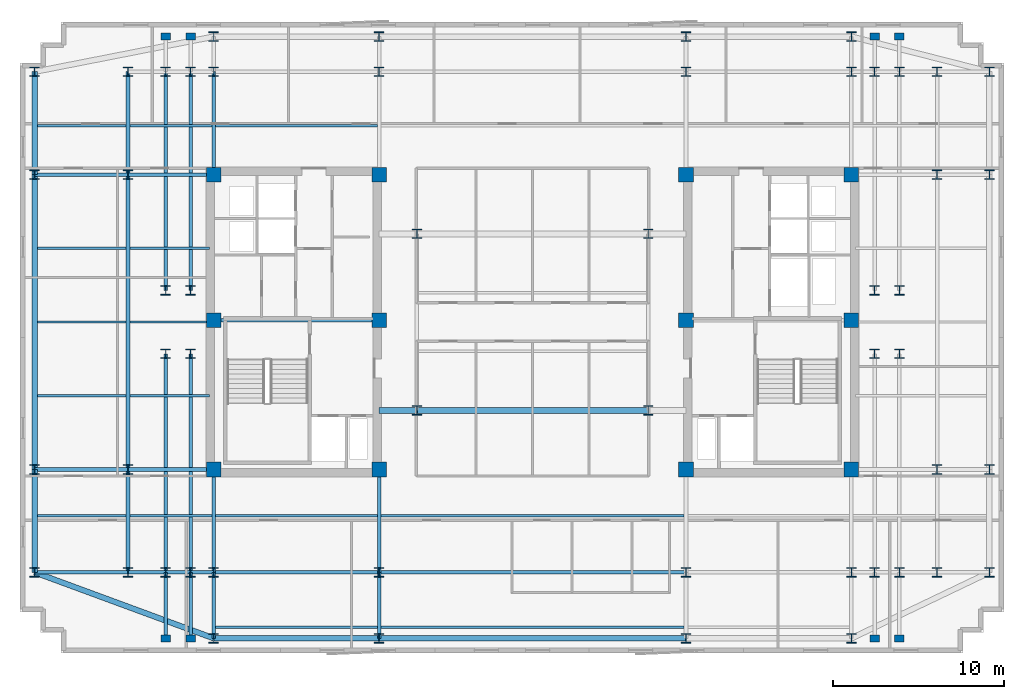
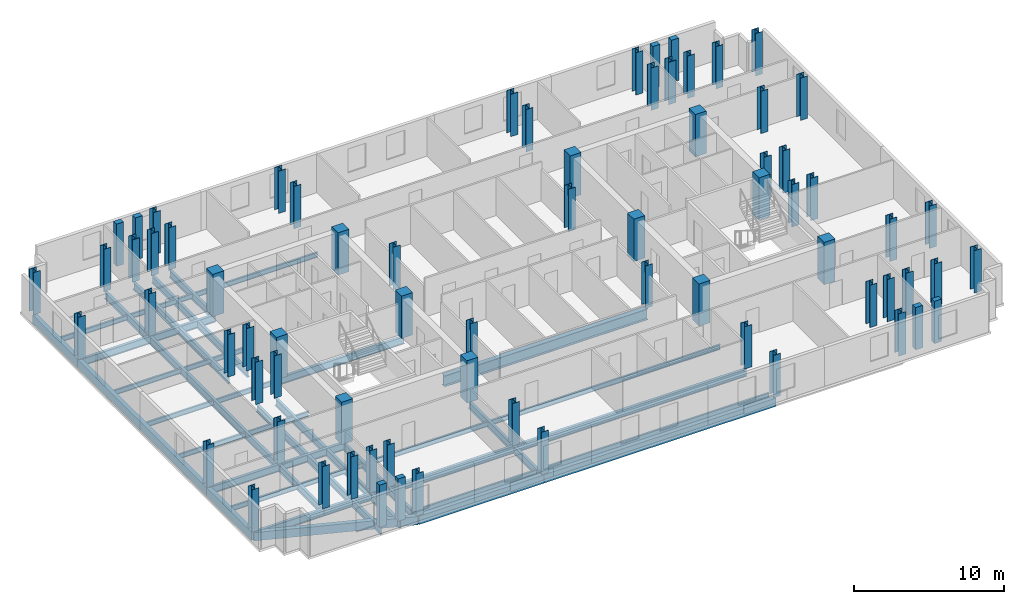
# One storey, part 1 of 10: 72 columns, 46 beams.
"""IFC4 building model written with IfcOpenShell, lengths in metres."""

import ifcopenshell
import ifcopenshell.guid

model = None  # the IFC model being written
_history = None  # IfcOwnerHistory: only IFC2X3 demands one
_inside = {}  # id of a spatial element -> (the spatial element, [elements in it])
_under = {}  # id of a project, library or spatial element -> (it, [spatial elements below it])
_declared = {}  # id of a project -> (the project, [libraries it declares])
_typed = {}  # id of a type object -> (the type object, [elements of that type])
_made_of = {}  # id of a material, layer set ... -> (it, [elements and type objects made of it])


def new_model(schema):
    """Start an empty IFC model of exactly this schema.

    Asked for "IFC4X3", IfcOpenShell would pick the latest addendum, in which some entities
    have other attributes; the version numbers below select the first issue.
    IFC2X3 requires an IfcOwnerHistory on every rooted entity: one is made here for all.
    """
    global model, _history
    if schema == "IFC4X3":
        model = ifcopenshell.file(schema_version=(4, 3, 0, 0))
    else:
        model = ifcopenshell.file(schema=schema)
    _inside.clear()
    _under.clear()
    _declared.clear()
    _typed.clear()
    _made_of.clear()
    _history = None
    if model.schema == "IFC2X3":
        org = make("IfcOrganization", Name="unknown")
        user = make(
            "IfcPersonAndOrganization",
            ThePerson=make("IfcPerson", FamilyName="unknown"),
            TheOrganization=org,
        )
        app = make(
            "IfcApplication",
            ApplicationDeveloper=org,
            Version="unknown",
            ApplicationFullName="unknown",
            ApplicationIdentifier="unknown",
        )
        _history = make(
            "IfcOwnerHistory",
            OwningUser=user,
            OwningApplication=app,
            ChangeAction="ADDED",
            CreationDate=0,
        )
    return model


def make(cls, **values):
    """One entity of the class cls with the attributes given. An attribute that is None is left unset."""
    return model.create_entity(
        cls, **{name: value for name, value in values.items() if value is not None}
    )


def rooted(cls, **values):
    """An entity with a GlobalId (a new one), such as an element, a storey or a relation."""
    return make(cls, GlobalId=ifcopenshell.guid.new(), OwnerHistory=_history, **values)


def si_unit(unit_type, name, prefix=None):
    """IfcSIUnit, for example si_unit("LENGTHUNIT", "METRE", prefix="MILLI")."""
    return make("IfcSIUnit", UnitType=unit_type, Prefix=prefix, Name=name)


def assignment(units):
    """IfcUnitAssignment: the units of a project."""
    return None if units is None else make("IfcUnitAssignment", Units=units)


def point(xyz):
    """IfcCartesianPoint."""
    return None if xyz is None else make("IfcCartesianPoint", Coordinates=xyz)


def direction(xyz):
    """IfcDirection."""
    return None if xyz is None else make("IfcDirection", DirectionRatios=xyz)


def frame(location, z_axis=None, x_axis=None):
    """IfcAxis2Placement3D, a coordinate frame: its origin and axes. An axis left out is left unset."""
    return make(
        "IfcAxis2Placement3D",
        Location=point(location),
        Axis=direction(z_axis),
        RefDirection=direction(x_axis),
    )


def frame_2d(location, x_axis=None):
    """IfcAxis2Placement2D, a coordinate frame in the plane: its origin and x axis."""
    return make(
        "IfcAxis2Placement2D", Location=point(location), RefDirection=direction(x_axis)
    )


def origin():
    """The frame at (0, 0, 0) with its axes left unset."""
    return frame((0.0, 0.0, 0.0))


def origin_2d():
    """The frame at (0, 0) in the plane with its x axis left unset."""
    return frame_2d((0.0, 0.0))


def place(relative_to, where):
    """IfcLocalPlacement: puts the frame where relative to a parent placement (None: the world)."""
    return make(
        "IfcLocalPlacement", PlacementRelTo=relative_to, RelativePlacement=where
    )


def context(
    kind, dimensions, precision=None, world=None, true_north=None, identifier=None
):
    """IfcGeometricRepresentationContext, for example the 3D "Model" context."""
    return make(
        "IfcGeometricRepresentationContext",
        ContextIdentifier=identifier,
        ContextType=kind,
        CoordinateSpaceDimension=dimensions,
        Precision=precision,
        WorldCoordinateSystem=world,
        TrueNorth=true_north,
    )


def subcontext(parent, identifier, kind, view, scale=None):
    """IfcGeometricRepresentationSubContext, for example "Body" below "Model"."""
    return make(
        "IfcGeometricRepresentationSubContext",
        ContextIdentifier=identifier,
        ContextType=kind,
        ParentContext=parent,
        TargetScale=scale,
        TargetView=view,
    )


def project(units=None, contexts=None):
    """IfcProject with its units and contexts."""
    return rooted(
        "IfcProject",
        Name="project",
        RepresentationContexts=contexts,
        UnitsInContext=assignment(units),
    )


def spatial(cls, under=None, at=None, **own):
    """A site, building, storey or space (cls), placed at a placement, below another one or the project."""
    s = rooted(cls, ObjectPlacement=at, **own)
    if under is not None:
        _under.setdefault(under.id(), (under, []))[1].append(s)
    return s


def profile(cls, at=None, kind="AREA", **sizes):
    """A parametric profile (cls). Its sizes go by their IFC names, for example OverallWidth=200.0."""
    return make(cls, ProfileType=kind, Position=at, **sizes)


def rectangle(**sizes):
    """IfcRectangleProfileDef."""
    return profile("IfcRectangleProfileDef", **sizes)


def i_section(**sizes):
    """IfcIShapeProfileDef."""
    return profile("IfcIShapeProfileDef", **sizes)


def extrude(swept, where, along, depth):
    """IfcExtrudedAreaSolid: the profile swept, set in the frame where, extruded along a direction by depth."""
    return make(
        "IfcExtrudedAreaSolid",
        SweptArea=swept,
        Position=where,
        ExtrudedDirection=direction(along),
        Depth=depth,
    )


def shape(context_of_items, identifier, shape_type, items):
    """IfcShapeRepresentation: the items that make up one representation, for example the "Body"."""
    return make(
        "IfcShapeRepresentation",
        ContextOfItems=context_of_items,
        RepresentationIdentifier=identifier,
        RepresentationType=shape_type,
        Items=items,
    )


def material(Name=None, Category=None):
    """IfcMaterial."""
    return make("IfcMaterial", Name=Name, Category=Category)


def material_profile(
    of_material, cross_section, Name=None, Category=None, Priority=None
):
    """IfcMaterialProfile: a cross section and its material."""
    return make(
        "IfcMaterialProfile",
        Name=Name,
        Material=of_material,
        Profile=cross_section,
        Priority=Priority,
        Category=Category,
    )


def profile_set(profiles, Name=None, composite=None):
    """IfcMaterialProfileSet."""
    return make(
        "IfcMaterialProfileSet",
        Name=Name,
        MaterialProfiles=profiles,
        CompositeProfile=composite,
    )


def made_of(thing, what):
    """Note that an element or type object is made of a material, layer set ...; save() writes the relation."""
    if what is not None:
        _made_of.setdefault(what.id(), (what, []))[1].append(thing)
    return thing


def type_object(cls, material=None, **own):
    """A type object (cls), such as IfcWallType, which elements share."""
    return made_of(rooted(cls, **own), material)


def element(
    cls,
    number,
    at=None,
    inside=None,
    cuts=None,
    type_object=None,
    material=None,
    context=None,
    identifier="Body",
    shape_type=None,
    held_by="IfcProductDefinitionShape",
    body=None,
    shapes=None,
    **own,
):
    """One element of the class cls, such as IfcWall. Its Tag is "e" and its number.

    at: its placement. inside: the storey or other place that contains it. cuts: it is an
    opening in that element (IfcRelVoidsElement). A single representation is given by context,
    identifier, shape_type and body (its items); several are given by shapes. held_by: the class
    of the entity that holds the representations. save() writes the other relations.
    """
    e = rooted(cls, Tag="e%d" % number, ObjectPlacement=at, **own)
    if body is not None:
        shapes = [shape(context, identifier, shape_type, body)]
    if shapes is not None:
        e.Representation = make(held_by, Representations=shapes)
    if inside is not None:
        _inside.setdefault(inside.id(), (inside, []))[1].append(e)
    if cuts is not None:
        rooted(
            "IfcRelVoidsElement", RelatingBuildingElement=cuts, RelatedOpeningElement=e
        )
    if type_object is not None:
        _typed.setdefault(type_object.id(), (type_object, []))[1].append(e)
    return made_of(e, material)


def aggregate(whole, parts):
    """IfcRelAggregates: a whole, such as a stair, and the parts it consists of."""
    return rooted("IfcRelAggregates", RelatingObject=whole, RelatedObjects=parts)


def save(model, path):
    """Write the relations noted so far, then the file.

    IfcRelAggregates (storeys below a building ...), IfcRelContainedInSpatialStructure (elements
    in a storey), IfcRelDefinesByType, IfcRelAssociatesMaterial and IfcRelDeclares: one each for
    every whole, place, type object, material and project.
    """
    for whole, parts in _under.values():
        aggregate(whole, parts)
    for where, things in _inside.values():
        rooted(
            "IfcRelContainedInSpatialStructure",
            RelatedElements=things,
            RelatingStructure=where,
        )
    for kind, things in _typed.values():
        rooted("IfcRelDefinesByType", RelatedObjects=things, RelatingType=kind)
    for what, things in _made_of.values():
        rooted("IfcRelAssociatesMaterial", RelatedObjects=things, RelatingMaterial=what)
    for by, libraries in _declared.values():
        rooted("IfcRelDeclares", RelatingContext=by, RelatedDefinitions=libraries)
    model.write(path)


model = new_model("IFC4")

# Units and contexts
model_context = context("Model", 3, precision=1e-05, world=origin(), true_north=direction((0.0, 1.0)))
body_context = subcontext(model_context, "Body", "Model", "MODEL_VIEW")
ifc_project = project(units=[si_unit("LENGTHUNIT", "METRE"), si_unit("AREAUNIT", "SQUARE_METRE"), si_unit("VOLUMEUNIT", "CUBIC_METRE"), si_unit("PLANEANGLEUNIT", "RADIAN"), si_unit("MASSUNIT", "GRAM", prefix="KILO")], contexts=[model_context])

# Site, building, storey
site_placement = place(None, origin())
site = spatial("IfcSite", under=ifc_project, at=site_placement, CompositionType="ELEMENT")
building_placement = place(site_placement, origin())
building = spatial("IfcBuilding", under=site, at=building_placement, Name="Velakula Bourse", CompositionType="ELEMENT")
storey_placement = place(building_placement, frame((0.0, 0.0, 239.550048828125)))
storey = spatial("IfcBuildingStorey", under=building, at=storey_placement, Name="L65", CompositionType="ELEMENT", Elevation=239.550048828125)

# Columns
ifc_material_1 = material(Name="Concrete M50 (fck 50 MPa)", Category="concrete")
ifc_material_profile_1 = material_profile(ifc_material_1, rectangle(XDim=0.85009765625, YDim=0.85009765625, at=origin_2d()), Name="Concrete M50 (fck 50 MPa)")
ifc_profile_set_1 = profile_set([ifc_material_profile_1], Name="Concrete M50 (fck 50 MPa)")
column_type_1 = type_object("IfcColumnType", Name="COL-RC-850", PredefinedType="COLUMN", material=ifc_profile_set_1)
for number, where, z_axis, x_axis, name in (
    (1, (-8.949951171875, -8.60009765625, 0.0), (0.0, 0.0, 1.0), (1.0, 0.0, 0.0), "L65 Core Boundary Column 01"),
    (2, (-8.949951171875, 0.10009765625, 0.0), (0.0, 0.0, 1.0), (1.0, 0.0, 0.0), "L65 Core Boundary Column 02"),
    (3, (-8.949951171875, 8.60009765625, 0.0), (0.0, 0.0, 1.0), (1.0, 0.0, 0.0), "L65 Core Boundary Column 03"),
    (4, (-18.60009765625, -8.60009765625, 0.0), (0.0, 0.0, 1.0), (1.0, 0.0, 0.0), "L65 Core Boundary Column 04"),
    (5, (-18.60009765625, 0.10009765625, 0.0), (0.0, 0.0, 1.0), (1.0, 0.0, 0.0), "L65 Core Boundary Column 05"),
    (6, (-18.60009765625, 8.60009765625, 0.0), (0.0, 0.0, 1.0), (1.0, 0.0, 0.0), "L65 Core Boundary Column 06"),
    (7, (8.949951171875, -8.60009765625, 0.0), (0.0, 0.0, 1.0), (1.0, 0.0, 0.0), "L65 Core Boundary Column 07"),
    (8, (8.949951171875, 0.10009765625, 0.0), (0.0, 0.0, 1.0), (1.0, 0.0, 0.0), "L65 Core Boundary Column 08"),
    (9, (8.949951171875, 8.60009765625, 0.0), (0.0, 0.0, 1.0), (1.0, 0.0, 0.0), "L65 Core Boundary Column 09"),
    (10, (18.60009765625, -8.60009765625, 0.0), (0.0, 0.0, 1.0), (1.0, 0.0, 0.0), "L65 Core Boundary Column 10"),
    (11, (18.60009765625, 0.10009765625, 0.0), (0.0, 0.0, 1.0), (1.0, 0.0, 0.0), "L65 Core Boundary Column 11"),
    (12, (18.60009765625, 8.60009765625, 0.0), (0.0, 0.0, 1.0), (1.0, 0.0, 0.0), "L65 Core Boundary Column 12"),
):
    element("IfcColumn", number, at=place(storey_placement, frame(where, z_axis=z_axis, x_axis=x_axis)), inside=storey, type_object=column_type_1, Name=name, PredefinedType="COLUMN", context=body_context, shape_type="SweptSolid", body=[
        extrude(rectangle(XDim=0.85009765625, YDim=0.85009765625, at=origin_2d()), origin(), (0.0, 0.0, 1.0), 3.449951171875),
    ])
ifc_material_2 = material(Name="Steel IS 2062 Grade 350 (E350)", Category="steel")
ifc_material_profile_2 = material_profile(ifc_material_2, i_section(OverallWidth=0.550048828125, OverallDepth=0.550048828125, WebThickness=0.02392578125, FlangeThickness=0.035888671875, at=origin_2d()), Name="Steel IS 2062 Grade 350 (E350)")
ifc_profile_set_2 = profile_set([ifc_material_profile_2], Name="Steel IS 2062 Grade 350 (E350)")
column_type_2 = type_object("IfcColumnType", Name="COL-STL-550", PredefinedType="COLUMN", material=ifc_profile_set_2)
for number, where, z_axis, x_axis, name in (
    (13, (-6.75, -5.14990234375, 0.0), (0.0, 0.0, 1.0), (1.0, 0.0, 0.0), "L65 Central Spine Column 01"),
    (14, (-6.75, 5.14990234375, 0.0), (0.0, 0.0, 1.0), (1.0, 0.0, 0.0), "L65 Central Spine Column 02"),
    (15, (6.75, -5.14990234375, 0.0), (0.0, 0.0, 1.0), (1.0, 0.0, 0.0), "L65 Central Spine Column 03"),
    (16, (6.75, 5.14990234375, 0.0), (0.0, 0.0, 1.0), (1.0, 0.0, 0.0), "L65 Central Spine Column 04"),
    (17, (-21.39990234375, -14.60009765625, 0.0), (0.0, 0.0, 1.0), (1.0, 0.0, 0.0), "L65 Tower Fulcrum Column 01"),
    (18, (-21.39990234375, 14.60009765625, 0.0), (0.0, 0.0, 1.0), (1.0, 0.0, 0.0), "L65 Tower Fulcrum Column 02"),
    (19, (-19.949951171875, -14.60009765625, 0.0), (0.0, 0.0, 1.0), (1.0, 0.0, 0.0), "L65 Tower Fulcrum Column 03"),
    (20, (-19.949951171875, 14.60009765625, 0.0), (0.0, 0.0, 1.0), (1.0, 0.0, 0.0), "L65 Tower Fulcrum Column 04"),
    (21, (-18.60009765625, -14.60009765625, 0.0), (0.0, 0.0, 1.0), (1.0, 0.0, 0.0), "L65 Tower Fulcrum Column 05"),
    (22, (-18.60009765625, 14.60009765625, 0.0), (0.0, 0.0, 1.0), (1.0, 0.0, 0.0), "L65 Tower Fulcrum Column 06"),
    (23, (-8.949951171875, -14.60009765625, 0.0), (0.0, 0.0, 1.0), (1.0, 0.0, 0.0), "L65 Tower Fulcrum Column 07"),
    (24, (-8.949951171875, 14.60009765625, 0.0), (0.0, 0.0, 1.0), (1.0, 0.0, 0.0), "L65 Tower Fulcrum Column 08"),
    (25, (8.949951171875, -14.60009765625, 0.0), (0.0, 0.0, 1.0), (1.0, 0.0, 0.0), "L65 Tower Fulcrum Column 09"),
    (26, (8.949951171875, 14.60009765625, 0.0), (0.0, 0.0, 1.0), (1.0, 0.0, 0.0), "L65 Tower Fulcrum Column 10"),
    (27, (18.60009765625, -14.60009765625, 0.0), (0.0, 0.0, 1.0), (1.0, 0.0, 0.0), "L65 Tower Fulcrum Column 11"),
    (28, (18.60009765625, 14.60009765625, 0.0), (0.0, 0.0, 1.0), (1.0, 0.0, 0.0), "L65 Tower Fulcrum Column 12"),
    (29, (19.949951171875, -14.60009765625, 0.0), (0.0, 0.0, 1.0), (1.0, 0.0, 0.0), "L65 Tower Fulcrum Column 13"),
    (30, (19.949951171875, 14.60009765625, 0.0), (0.0, 0.0, 1.0), (1.0, 0.0, 0.0), "L65 Tower Fulcrum Column 14"),
    (31, (21.39990234375, -14.60009765625, 0.0), (0.0, 0.0, 1.0), (1.0, 0.0, 0.0), "L65 Tower Fulcrum Column 15"),
    (32, (21.39990234375, 14.60009765625, 0.0), (0.0, 0.0, 1.0), (1.0, 0.0, 0.0), "L65 Tower Fulcrum Column 16"),
    (33, (-21.39990234375, -1.85009765625, 0.0), (0.0, 0.0, 1.0), (1.0, 0.0, 0.0), "L65 Tower Fulcrum Column 17"),
    (34, (-21.39990234375, 1.85009765625, 0.0), (0.0, 0.0, 1.0), (1.0, 0.0, 0.0), "L65 Tower Fulcrum Column 18"),
    (35, (-19.949951171875, -1.85009765625, 0.0), (0.0, 0.0, 1.0), (1.0, 0.0, 0.0), "L65 Tower Fulcrum Column 19"),
    (36, (-19.949951171875, 1.85009765625, 0.0), (0.0, 0.0, 1.0), (1.0, 0.0, 0.0), "L65 Tower Fulcrum Column 20"),
    (37, (19.949951171875, -1.85009765625, 0.0), (0.0, 0.0, 1.0), (1.0, 0.0, 0.0), "L65 Tower Fulcrum Column 21"),
    (38, (19.949951171875, 1.85009765625, 0.0), (0.0, 0.0, 1.0), (1.0, 0.0, 0.0), "L65 Tower Fulcrum Column 22"),
    (39, (21.39990234375, -1.85009765625, 0.0), (0.0, 0.0, 1.0), (1.0, 0.0, 0.0), "L65 Tower Fulcrum Column 23"),
    (40, (21.39990234375, 1.85009765625, 0.0), (0.0, 0.0, 1.0), (1.0, 0.0, 0.0), "L65 Tower Fulcrum Column 24"),
    (41, (-23.60009765625, -14.60009765625, 0.0), (0.0, 0.0, 1.0), (1.0, 0.0, 0.0), "L65 Mid-Wing Plumb Column 01"),
    (42, (-23.60009765625, -8.60009765625, 0.0), (0.0, 0.0, 1.0), (1.0, 0.0, 0.0), "L65 Mid-Wing Plumb Column 02"),
    (43, (-23.60009765625, 8.60009765625, 0.0), (0.0, 0.0, 1.0), (1.0, 0.0, 0.0), "L65 Mid-Wing Plumb Column 03"),
    (44, (-23.60009765625, 14.60009765625, 0.0), (0.0, 0.0, 1.0), (1.0, 0.0, 0.0), "L65 Mid-Wing Plumb Column 04"),
    (45, (23.60009765625, -14.60009765625, 0.0), (0.0, 0.0, 1.0), (1.0, 0.0, 0.0), "L65 Mid-Wing Plumb Column 05"),
    (46, (23.60009765625, -8.60009765625, 0.0), (0.0, 0.0, 1.0), (1.0, 0.0, 0.0), "L65 Mid-Wing Plumb Column 06"),
    (47, (23.60009765625, 8.60009765625, 0.0), (0.0, 0.0, 1.0), (1.0, 0.0, 0.0), "L65 Mid-Wing Plumb Column 07"),
    (48, (23.60009765625, 14.60009765625, 0.0), (0.0, 0.0, 1.0), (1.0, 0.0, 0.0), "L65 Mid-Wing Plumb Column 08"),
    (49, (-18.60009765625, -18.449951171875, 0.0), (0.0, 0.0, 1.0), (1.0, 0.0, 0.0), "L65 Block B5 Perimeter Column S1"),
    (50, (-8.949951171875, -18.449951171875, 0.0), (0.0, 0.0, 1.0), (1.0, 0.0, 0.0), "L65 Block B5 Perimeter Column S2"),
    (51, (8.949951171875, -18.449951171875, 0.0), (0.0, 0.0, 1.0), (1.0, 0.0, 0.0), "L65 Block B5 Perimeter Column S3"),
    (52, (18.60009765625, -18.449951171875, 0.0), (0.0, 0.0, 1.0), (1.0, 0.0, 0.0), "L65 Block B5 Perimeter Column S4"),
    (53, (-18.60009765625, 16.64990234375, 0.0), (0.0, 0.0, 1.0), (1.0, 0.0, 0.0), "L65 Block B5 Perimeter Column N1"),
    (54, (-8.949951171875, 16.64990234375, 0.0), (0.0, 0.0, 1.0), (1.0, 0.0, 0.0), "L65 Block B5 Perimeter Column N2"),
    (55, (8.949951171875, 16.64990234375, 0.0), (0.0, 0.0, 1.0), (1.0, 0.0, 0.0), "L65 Block B5 Perimeter Column N3"),
    (56, (18.60009765625, 16.64990234375, 0.0), (0.0, 0.0, 1.0), (1.0, 0.0, 0.0), "L65 Block B5 Perimeter Column N4"),
    (57, (-29.050048828125, -14.60009765625, 0.0), (0.0, 0.0, 1.0), (1.0, 0.0, 0.0), "L65 Block B5 Perimeter Column W1"),
    (58, (-29.050048828125, -8.60009765625, 0.0), (0.0, 0.0, 1.0), (1.0, 0.0, 0.0), "L65 Block B5 Perimeter Column W2"),
    (59, (-29.050048828125, 8.60009765625, 0.0), (0.0, 0.0, 1.0), (1.0, 0.0, 0.0), "L65 Block B5 Perimeter Column W3"),
    (60, (-29.050048828125, 14.60009765625, 0.0), (0.0, 0.0, 1.0), (1.0, 0.0, 0.0), "L65 Block B5 Perimeter Column W4"),
    (61, (26.64990234375, -14.60009765625, 0.0), (0.0, 0.0, 1.0), (1.0, 0.0, 0.0), "L65 Block B5 Perimeter Column E1"),
    (62, (26.64990234375, -8.60009765625, 0.0), (0.0, 0.0, 1.0), (1.0, 0.0, 0.0), "L65 Block B5 Perimeter Column E2"),
    (63, (26.64990234375, 8.60009765625, 0.0), (0.0, 0.0, 1.0), (1.0, 0.0, 0.0), "L65 Block B5 Perimeter Column E3"),
    (64, (26.64990234375, 14.60009765625, 0.0), (0.0, 0.0, 1.0), (1.0, 0.0, 0.0), "L65 Block B5 Perimeter Column E4"),
):
    element("IfcColumn", number, at=place(storey_placement, frame(where, z_axis=z_axis, x_axis=x_axis)), inside=storey, type_object=column_type_2, Name=name, PredefinedType="COLUMN", context=body_context, shape_type="SweptSolid", body=[
        extrude(i_section(OverallWidth=0.550048828125, OverallDepth=0.550048828125, WebThickness=0.02392578125, FlangeThickness=0.035888671875, at=origin_2d()), origin(), (0.0, 0.0, 1.0), 3.449951171875),
    ])
ifc_material_3 = material(Name="Precast concrete M45 (fck 45 MPa)", Category="concrete")
ifc_material_profile_3 = material_profile(ifc_material_3, rectangle(XDim=0.550048828125, YDim=0.39990234375, at=origin_2d()), Name="Precast concrete M45 (fck 45 MPa)")
ifc_profile_set_3 = profile_set([ifc_material_profile_3], Name="Precast concrete M45 (fck 45 MPa)")
column_type_3 = type_object("IfcColumnType", Name="PIL-BRICK-550", PredefinedType="PILASTER", material=ifc_profile_set_3)
for number, where, z_axis, x_axis, name in (
    (65, (-21.39990234375, -18.449951171875, 0.0), (0.0, 0.0, 1.0), (1.0, 0.0, 0.0), "L65 Brick Pier Pilaster 01"),
    (66, (-19.949951171875, -18.449951171875, 0.0), (0.0, 0.0, 1.0), (1.0, 0.0, 0.0), "L65 Brick Pier Pilaster 02"),
    (67, (19.949951171875, -18.449951171875, 0.0), (0.0, 0.0, 1.0), (1.0, 0.0, 0.0), "L65 Brick Pier Pilaster 03"),
    (68, (21.39990234375, -18.449951171875, 0.0), (0.0, 0.0, 1.0), (1.0, 0.0, 0.0), "L65 Brick Pier Pilaster 04"),
    (69, (-21.39990234375, 16.64990234375, 0.0), (0.0, 0.0, 1.0), (1.0, 0.0, 0.0), "L65 Brick Pier Pilaster 05"),
    (70, (-19.949951171875, 16.64990234375, 0.0), (0.0, 0.0, 1.0), (1.0, 0.0, 0.0), "L65 Brick Pier Pilaster 06"),
    (71, (19.949951171875, 16.64990234375, 0.0), (0.0, 0.0, 1.0), (1.0, 0.0, 0.0), "L65 Brick Pier Pilaster 07"),
    (72, (21.39990234375, 16.64990234375, 0.0), (0.0, 0.0, 1.0), (1.0, 0.0, 0.0), "L65 Brick Pier Pilaster 08"),
):
    element("IfcColumn", number, at=place(storey_placement, frame(where, z_axis=z_axis, x_axis=x_axis)), inside=storey, type_object=column_type_3, Name=name, PredefinedType="PILASTER", context=body_context, shape_type="SweptSolid", body=[
        extrude(rectangle(XDim=0.550048828125, YDim=0.39990234375, at=origin_2d()), origin(), (0.0, 0.0, 1.0), 3.449951171875),
    ])

# Beams
ifc_material_profile_4 = material_profile(ifc_material_2, i_section(OverallWidth=0.2099609375, OverallDepth=0.60009765625, WebThickness=0.011962890625, FlangeThickness=0.020751953125, at=origin_2d()), Name="Steel IS 2062 Grade 350 (E350)")
ifc_profile_set_4 = profile_set([ifc_material_profile_4], Name="Steel IS 2062 Grade 350 (E350)")
beam_type_1 = type_object("IfcBeamType", Name="BM-GRD-600L", PredefinedType="BEAM", material=ifc_profile_set_4)
beam_1_placement = place(storey_placement, frame((-18.60009765625, 0.10009765625, -0.47998046875), z_axis=(1.0, 0.0, 0.0), x_axis=(0.0, 1.0, 0.0)))
element("IfcBeam", 73, at=beam_1_placement, inside=storey, type_object=beam_type_1, Name="L65 Primary Backbone Girder CRW-M", PredefinedType="BEAM", context=body_context, shape_type="SweptSolid", body=[
    extrude(i_section(OverallWidth=0.2099609375, OverallDepth=0.60009765625, WebThickness=0.011962890625, FlangeThickness=0.020751953125, at=origin_2d()), origin(), (0.0, 0.0, 1.0), 9.650146484375),
])
for number, where, z_axis, x_axis, name in (
    (74, (-18.60009765625, -14.60009765625, -0.47998046875), (0.0, 1.0, 0.0), (-1.0, 0.0, 0.0), "L65 Fulcrum Grid Girder FLC-WS"),
    (75, (-18.60009765625, 8.60009765625, -0.47998046875), (0.0, 1.0, 0.0), (-1.0, 0.0, 0.0), "L65 Fulcrum Grid Girder FLC-WN"),
    (76, (-8.949951171875, -14.60009765625, -0.47998046875), (0.0, 1.0, 0.0), (-1.0, 0.0, 0.0), "L65 Fulcrum Grid Girder FLC-WCS"),
):
    element("IfcBeam", number, at=place(storey_placement, frame(where, z_axis=z_axis, x_axis=x_axis)), inside=storey, type_object=beam_type_1, Name=name, PredefinedType="BEAM", context=body_context, shape_type="SweptSolid", body=[
        extrude(i_section(OverallWidth=0.2099609375, OverallDepth=0.60009765625, WebThickness=0.011962890625, FlangeThickness=0.020751953125, at=origin_2d()), origin(), (0.0, 0.0, 1.0), 6.0),
    ])
beam_2_placement = place(storey_placement, frame((-18.60009765625, -14.60009765625, -0.47998046875), z_axis=(1.0, 0.0, 0.0), x_axis=(0.0, 1.0, 0.0)))
element("IfcBeam", 77, at=beam_2_placement, inside=storey, type_object=beam_type_1, Name="L65 Fulcrum Grid Girder FLC-S1", PredefinedType="BEAM", context=body_context, shape_type="SweptSolid", body=[
    extrude(i_section(OverallWidth=0.2099609375, OverallDepth=0.60009765625, WebThickness=0.011962890625, FlangeThickness=0.020751953125, at=origin_2d()), origin(), (0.0, 0.0, 1.0), 9.650146484375),
])
beam_3_placement = place(storey_placement, frame((-8.949951171875, -14.60009765625, -0.47998046875), z_axis=(1.0, 0.0, 0.0), x_axis=(0.0, 1.0, 0.0)))
element("IfcBeam", 78, at=beam_3_placement, inside=storey, type_object=beam_type_1, Name="L65 Fulcrum Grid Girder FLC-S2", PredefinedType="BEAM", context=body_context, shape_type="SweptSolid", body=[
    extrude(i_section(OverallWidth=0.2099609375, OverallDepth=0.60009765625, WebThickness=0.011962890625, FlangeThickness=0.020751953125, at=origin_2d()), origin(), (0.0, 0.0, 1.0), 17.89990234375),
])
for number, where, z_axis, x_axis, name in (
    (79, (-21.39990234375, -14.60009765625, -0.47998046875), (0.0, 1.0, 0.0), (-1.0, 0.0, 0.0), "L65 Fulcrum Grid Girder FLC-PSW1"),
    (80, (-21.39990234375, 1.85009765625, -0.47998046875), (0.0, 1.0, 0.0), (-1.0, 0.0, 0.0), "L65 Fulcrum Grid Girder FLC-PNW1"),
    (81, (-19.949951171875, -14.60009765625, -0.47998046875), (0.0, 1.0, 0.0), (-1.0, 0.0, 0.0), "L65 Fulcrum Grid Girder FLC-PSW2"),
    (82, (-19.949951171875, 1.85009765625, -0.47998046875), (0.0, 1.0, 0.0), (-1.0, 0.0, 0.0), "L65 Fulcrum Grid Girder FLC-PNW2"),
):
    element("IfcBeam", number, at=place(storey_placement, frame(where, z_axis=z_axis, x_axis=x_axis)), inside=storey, type_object=beam_type_1, Name=name, PredefinedType="BEAM", context=body_context, shape_type="SweptSolid", body=[
        extrude(i_section(OverallWidth=0.2099609375, OverallDepth=0.60009765625, WebThickness=0.011962890625, FlangeThickness=0.020751953125, at=origin_2d()), origin(), (0.0, 0.0, 1.0), 12.75),
    ])
for number, where, z_axis, x_axis, name in (
    (83, (-23.60009765625, -14.60009765625, -0.47998046875), (1.0, 0.0, 0.0), (0.0, 1.0, 0.0), "L65 Fulcrum Grid Girder MWG-WS1"),
    (84, (-23.60009765625, -8.60009765625, -0.47998046875), (1.0, 0.0, 0.0), (0.0, 1.0, 0.0), "L65 Fulcrum Grid Girder MWG-WS2"),
    (85, (-23.60009765625, 8.60009765625, -0.47998046875), (1.0, 0.0, 0.0), (0.0, 1.0, 0.0), "L65 Fulcrum Grid Girder MWG-WN1"),
):
    element("IfcBeam", number, at=place(storey_placement, frame(where, z_axis=z_axis, x_axis=x_axis)), inside=storey, type_object=beam_type_1, Name=name, PredefinedType="BEAM", context=body_context, shape_type="SweptSolid", body=[
        extrude(i_section(OverallWidth=0.2099609375, OverallDepth=0.60009765625, WebThickness=0.011962890625, FlangeThickness=0.020751953125, at=origin_2d()), origin(), (0.0, 0.0, 1.0), 5.0),
    ])
beam_4_placement = place(storey_placement, frame((-23.60009765625, -14.60009765625, -0.47998046875), z_axis=(0.0, 1.0, 0.0), x_axis=(-1.0, 0.0, 0.0)))
element("IfcBeam", 86, at=beam_4_placement, inside=storey, type_object=beam_type_1, Name="L65 Fulcrum Grid Girder MWG-WNS1", PredefinedType="BEAM", context=body_context, shape_type="SweptSolid", body=[
    extrude(i_section(OverallWidth=0.2099609375, OverallDepth=0.60009765625, WebThickness=0.011962890625, FlangeThickness=0.020751953125, at=origin_2d()), origin(), (0.0, 0.0, 1.0), 6.0),
])
beam_5_placement = place(storey_placement, frame((-23.60009765625, -8.60009765625, -0.47998046875), z_axis=(0.0, 1.0, 0.0), x_axis=(-1.0, 0.0, 0.0)))
element("IfcBeam", 87, at=beam_5_placement, inside=storey, type_object=beam_type_1, Name="L65 Fulcrum Grid Girder MWG-WNS2", PredefinedType="BEAM", context=body_context, shape_type="SweptSolid", body=[
    extrude(i_section(OverallWidth=0.2099609375, OverallDepth=0.60009765625, WebThickness=0.011962890625, FlangeThickness=0.020751953125, at=origin_2d()), origin(), (0.0, 0.0, 1.0), 17.2001953125),
])
beam_6_placement = place(storey_placement, frame((-23.60009765625, 8.60009765625, -0.47998046875), z_axis=(0.0, 1.0, 0.0), x_axis=(-1.0, 0.0, 0.0)))
element("IfcBeam", 88, at=beam_6_placement, inside=storey, type_object=beam_type_1, Name="L65 Fulcrum Grid Girder MWG-WNS3", PredefinedType="BEAM", context=body_context, shape_type="SweptSolid", body=[
    extrude(i_section(OverallWidth=0.2099609375, OverallDepth=0.60009765625, WebThickness=0.011962890625, FlangeThickness=0.020751953125, at=origin_2d()), origin(), (0.0, 0.0, 1.0), 6.0),
])
for number, where, z_axis, x_axis, name in (
    (89, (-18.60009765625, -14.60009765625, -0.47998046875), (0.0, -1.0, 0.0), (1.0, 0.0, 0.0), "L65 Perimeter Tie Girder S1"),
    (90, (-8.949951171875, -14.60009765625, -0.47998046875), (0.0, -1.0, 0.0), (1.0, 0.0, 0.0), "L65 Perimeter Tie Girder S2"),
):
    element("IfcBeam", number, at=place(storey_placement, frame(where, z_axis=z_axis, x_axis=x_axis)), inside=storey, type_object=beam_type_1, Name=name, PredefinedType="BEAM", context=body_context, shape_type="SweptSolid", body=[
        extrude(i_section(OverallWidth=0.2099609375, OverallDepth=0.60009765625, WebThickness=0.011962890625, FlangeThickness=0.020751953125, at=origin_2d()), origin(), (0.0, 0.0, 1.0), 3.849853515625),
    ])
for number, where, z_axis, x_axis, name in (
    (91, (-23.60009765625, -14.60009765625, -0.47998046875), (-1.0, 0.0, 0.0), (0.0, -1.0, 0.0), "L65 Perimeter Tie Girder W1"),
    (92, (-23.60009765625, -8.60009765625, -0.47998046875), (-1.0, 0.0, 0.0), (0.0, -1.0, 0.0), "L65 Perimeter Tie Girder W2"),
    (93, (-23.60009765625, 8.60009765625, -0.47998046875), (-1.0, 0.0, 0.0), (0.0, -1.0, 0.0), "L65 Perimeter Tie Girder W3"),
):
    element("IfcBeam", number, at=place(storey_placement, frame(where, z_axis=z_axis, x_axis=x_axis)), inside=storey, type_object=beam_type_1, Name=name, PredefinedType="BEAM", context=body_context, shape_type="SweptSolid", body=[
        extrude(i_section(OverallWidth=0.2099609375, OverallDepth=0.60009765625, WebThickness=0.011962890625, FlangeThickness=0.020751953125, at=origin_2d()), origin(), (0.0, 0.0, 1.0), 5.449951171875),
    ])
for number, where, z_axis, x_axis, name in (
    (94, (-21.39990234375, -14.60009765625, -0.47998046875), (0.0, -1.0, 0.0), (1.0, 0.0, 0.0), "L65 Perimeter Tie Girder P01"),
    (95, (-19.949951171875, -14.60009765625, -0.47998046875), (0.0, -1.0, 0.0), (1.0, 0.0, 0.0), "L65 Perimeter Tie Girder P02"),
):
    element("IfcBeam", number, at=place(storey_placement, frame(where, z_axis=z_axis, x_axis=x_axis)), inside=storey, type_object=beam_type_1, Name=name, PredefinedType="BEAM", context=body_context, shape_type="SweptSolid", body=[
        extrude(i_section(OverallWidth=0.2099609375, OverallDepth=0.60009765625, WebThickness=0.011962890625, FlangeThickness=0.020751953125, at=origin_2d()), origin(), (0.0, 0.0, 1.0), 3.849853515625),
    ])
ifc_material_profile_5 = material_profile(ifc_material_2, i_section(OverallWidth=0.35009765625, OverallDepth=0.89990234375, WebThickness=0.02001953125, FlangeThickness=0.031982421875, at=origin_2d()), Name="Steel IS 2062 Grade 350 (E350)")
ifc_profile_set_5 = profile_set([ifc_material_profile_5], Name="Steel IS 2062 Grade 350 (E350)")
beam_type_2 = type_object("IfcBeamType", Name="BM-LNK-900", PredefinedType="BEAM", material=ifc_profile_set_5)
beam_7_placement = place(storey_placement, frame((-8.949951171875, -5.14990234375, -0.630126953125), z_axis=(1.0, 0.0, 0.0), x_axis=(0.0, 1.0, 0.0)))
element("IfcBeam", 96, at=beam_7_placement, inside=storey, type_object=beam_type_2, Name="L65 Primary Backbone Girder LNK-S1", PredefinedType="BEAM", context=body_context, shape_type="SweptSolid", body=[
    extrude(i_section(OverallWidth=0.35009765625, OverallDepth=0.89990234375, WebThickness=0.02001953125, FlangeThickness=0.031982421875, at=origin_2d()), origin(), (0.0, 0.0, 1.0), 2.199951171875),
])
beam_8_placement = place(storey_placement, frame((-6.75, -5.14990234375, -0.630126953125), z_axis=(1.0, 0.0, 0.0), x_axis=(0.0, 1.0, 0.0)))
element("IfcBeam", 97, at=beam_8_placement, inside=storey, type_object=beam_type_2, Name="L65 Primary Backbone Girder LNK-S2", PredefinedType="BEAM", context=body_context, shape_type="SweptSolid", body=[
    extrude(i_section(OverallWidth=0.35009765625, OverallDepth=0.89990234375, WebThickness=0.02001953125, FlangeThickness=0.031982421875, at=origin_2d()), origin(), (0.0, 0.0, 1.0), 13.5),
])
ifc_material_profile_6 = material_profile(ifc_material_2, i_section(OverallWidth=0.139892578125, OverallDepth=0.39990234375, WebThickness=0.0087890625, FlangeThickness=0.01611328125, at=origin_2d()), Name="Steel IS 2062 Grade 350 (E350)")
ifc_profile_set_6 = profile_set([ifc_material_profile_6], Name="Steel IS 2062 Grade 350 (E350)")
beam_type_3 = type_object("IfcBeamType", Name="JST-TWR-400", PredefinedType="JOIST", material=ifc_profile_set_6)
beam_9_placement = place(storey_placement, frame((-18.4951171875, -17.800048828125, -0.380126953125), z_axis=(1.0, 0.0, 0.0), x_axis=(0.0, 1.0, 0.0)))
element("IfcBeam", 98, at=beam_9_placement, inside=storey, type_object=beam_type_3, Name="L65 Trading Floor Composite Joist 01", PredefinedType="JOIST", context=body_context, shape_type="SweptSolid", body=[
    extrude(i_section(OverallWidth=0.139892578125, OverallDepth=0.39990234375, WebThickness=0.0087890625, FlangeThickness=0.01611328125, at=origin_2d()), origin(), (0.0, 0.0, 1.0), 9.440185546875),
])
beam_10_placement = place(storey_placement, frame((-8.844970703125, -17.800048828125, -0.380126953125), z_axis=(1.0, 0.0, 0.0), x_axis=(0.0, 1.0, 0.0)))
element("IfcBeam", 99, at=beam_10_placement, inside=storey, type_object=beam_type_3, Name="L65 Trading Floor Composite Joist 02", PredefinedType="JOIST", context=body_context, shape_type="SweptSolid", body=[
    extrude(i_section(OverallWidth=0.139892578125, OverallDepth=0.39990234375, WebThickness=0.0087890625, FlangeThickness=0.01611328125, at=origin_2d()), origin(), (0.0, 0.0, 1.0), 17.68994140625),
])
beam_11_placement = place(storey_placement, frame((-28.889892578125, -11.300048828125, -0.380126953125), z_axis=(1.0, 0.0, 0.0), x_axis=(0.0, 1.0, 0.0)))
element("IfcBeam", 100, at=beam_11_placement, inside=storey, type_object=beam_type_3, Name="L65 Trading Floor Composite Joist 04", PredefinedType="JOIST", context=body_context, shape_type="SweptSolid", body=[
    extrude(i_section(OverallWidth=0.139892578125, OverallDepth=0.39990234375, WebThickness=0.0087890625, FlangeThickness=0.01611328125, at=origin_2d()), origin(), (0.0, 0.0, 1.0), 5.184814453125),
])
beam_12_placement = place(storey_placement, frame((-23.4951171875, -11.300048828125, -0.380126953125), z_axis=(1.0, 0.0, 0.0), x_axis=(0.0, 1.0, 0.0)))
element("IfcBeam", 101, at=beam_12_placement, inside=storey, type_object=beam_type_3, Name="L65 Trading Floor Composite Joist 05", PredefinedType="JOIST", context=body_context, shape_type="SweptSolid", body=[
    extrude(i_section(OverallWidth=0.139892578125, OverallDepth=0.39990234375, WebThickness=0.0087890625, FlangeThickness=0.01611328125, at=origin_2d()), origin(), (0.0, 0.0, 1.0), 4.7900390625),
])
beam_13_placement = place(storey_placement, frame((-18.4951171875, -11.300048828125, -0.380126953125), z_axis=(1.0, 0.0, 0.0), x_axis=(0.0, 1.0, 0.0)))
element("IfcBeam", 102, at=beam_13_placement, inside=storey, type_object=beam_type_3, Name="L65 Trading Floor Composite Joist 06", PredefinedType="JOIST", context=body_context, shape_type="SweptSolid", body=[
    extrude(i_section(OverallWidth=0.139892578125, OverallDepth=0.39990234375, WebThickness=0.0087890625, FlangeThickness=0.01611328125, at=origin_2d()), origin(), (0.0, 0.0, 1.0), 9.440185546875),
])
beam_14_placement = place(storey_placement, frame((-8.844970703125, -11.300048828125, -0.380126953125), z_axis=(1.0, 0.0, 0.0), x_axis=(0.0, 1.0, 0.0)))
element("IfcBeam", 103, at=beam_14_placement, inside=storey, type_object=beam_type_3, Name="L65 Trading Floor Composite Joist 07", PredefinedType="JOIST", context=body_context, shape_type="SweptSolid", body=[
    extrude(i_section(OverallWidth=0.139892578125, OverallDepth=0.39990234375, WebThickness=0.0087890625, FlangeThickness=0.01611328125, at=origin_2d()), origin(), (0.0, 0.0, 1.0), 17.68994140625),
])
beam_15_placement = place(storey_placement, frame((-28.889892578125, 11.449951171875, -0.380126953125), z_axis=(1.0, 0.0, 0.0), x_axis=(0.0, 1.0, 0.0)))
element("IfcBeam", 104, at=beam_15_placement, inside=storey, type_object=beam_type_3, Name="L65 Trading Floor Composite Joist 11", PredefinedType="JOIST", context=body_context, shape_type="SweptSolid", body=[
    extrude(i_section(OverallWidth=0.139892578125, OverallDepth=0.39990234375, WebThickness=0.0087890625, FlangeThickness=0.01611328125, at=origin_2d()), origin(), (0.0, 0.0, 1.0), 5.184814453125),
])
beam_16_placement = place(storey_placement, frame((-23.4951171875, 11.449951171875, -0.380126953125), z_axis=(1.0, 0.0, 0.0), x_axis=(0.0, 1.0, 0.0)))
element("IfcBeam", 105, at=beam_16_placement, inside=storey, type_object=beam_type_3, Name="L65 Trading Floor Composite Joist 12", PredefinedType="JOIST", context=body_context, shape_type="SweptSolid", body=[
    extrude(i_section(OverallWidth=0.139892578125, OverallDepth=0.39990234375, WebThickness=0.0087890625, FlangeThickness=0.01611328125, at=origin_2d()), origin(), (0.0, 0.0, 1.0), 4.7900390625),
])
beam_17_placement = place(storey_placement, frame((-18.4951171875, 11.449951171875, -0.380126953125), z_axis=(1.0, 0.0, 0.0), x_axis=(0.0, 1.0, 0.0)))
element("IfcBeam", 106, at=beam_17_placement, inside=storey, type_object=beam_type_3, Name="L65 Trading Floor Composite Joist 13", PredefinedType="JOIST", context=body_context, shape_type="SweptSolid", body=[
    extrude(i_section(OverallWidth=0.139892578125, OverallDepth=0.39990234375, WebThickness=0.0087890625, FlangeThickness=0.01611328125, at=origin_2d()), origin(), (0.0, 0.0, 1.0), 9.440185546875),
])
beam_18_placement = place(storey_placement, frame((-28.889892578125, -4.300048828125, -0.380126953125), z_axis=(1.0, 0.0, 0.0), x_axis=(0.0, 1.0, 0.0)))
element("IfcBeam", 107, at=beam_18_placement, inside=storey, type_object=beam_type_3, Name="L65 Trading Floor Composite Joist 20", PredefinedType="JOIST", context=body_context, shape_type="SweptSolid", body=[
    extrude(i_section(OverallWidth=0.139892578125, OverallDepth=0.39990234375, WebThickness=0.0087890625, FlangeThickness=0.01611328125, at=origin_2d()), origin(), (0.0, 0.0, 1.0), 5.184814453125),
])
beam_19_placement = place(storey_placement, frame((-23.4951171875, -4.300048828125, -0.380126953125), z_axis=(1.0, 0.0, 0.0), x_axis=(0.0, 1.0, 0.0)))
element("IfcBeam", 108, at=beam_19_placement, inside=storey, type_object=beam_type_3, Name="L65 Trading Floor Composite Joist 21", PredefinedType="JOIST", context=body_context, shape_type="SweptSolid", body=[
    extrude(i_section(OverallWidth=0.139892578125, OverallDepth=0.39990234375, WebThickness=0.0087890625, FlangeThickness=0.01611328125, at=origin_2d()), origin(), (0.0, 0.0, 1.0), 4.64501953125),
])
beam_20_placement = place(storey_placement, frame((-28.889892578125, 0.0, -0.380126953125), z_axis=(1.0, 0.0, 0.0), x_axis=(0.0, 1.0, 0.0)))
element("IfcBeam", 109, at=beam_20_placement, inside=storey, type_object=beam_type_3, Name="L65 Trading Floor Composite Joist 24", PredefinedType="JOIST", context=body_context, shape_type="SweptSolid", body=[
    extrude(i_section(OverallWidth=0.139892578125, OverallDepth=0.39990234375, WebThickness=0.0087890625, FlangeThickness=0.01611328125, at=origin_2d()), origin(), (0.0, 0.0, 1.0), 5.184814453125),
])
beam_21_placement = place(storey_placement, frame((-23.4951171875, 0.0, -0.380126953125), z_axis=(1.0, 0.0, 0.0), x_axis=(0.0, 1.0, 0.0)))
element("IfcBeam", 110, at=beam_21_placement, inside=storey, type_object=beam_type_3, Name="L65 Trading Floor Composite Joist 25", PredefinedType="JOIST", context=body_context, shape_type="SweptSolid", body=[
    extrude(i_section(OverallWidth=0.139892578125, OverallDepth=0.39990234375, WebThickness=0.0087890625, FlangeThickness=0.01611328125, at=origin_2d()), origin(), (0.0, 0.0, 1.0), 4.64501953125),
])
beam_22_placement = place(storey_placement, frame((-28.889892578125, 4.300048828125, -0.380126953125), z_axis=(1.0, 0.0, 0.0), x_axis=(0.0, 1.0, 0.0)))
element("IfcBeam", 111, at=beam_22_placement, inside=storey, type_object=beam_type_3, Name="L65 Trading Floor Composite Joist 28", PredefinedType="JOIST", context=body_context, shape_type="SweptSolid", body=[
    extrude(i_section(OverallWidth=0.139892578125, OverallDepth=0.39990234375, WebThickness=0.0087890625, FlangeThickness=0.01611328125, at=origin_2d()), origin(), (0.0, 0.0, 1.0), 5.184814453125),
])
beam_23_placement = place(storey_placement, frame((-23.4951171875, 4.300048828125, -0.380126953125), z_axis=(1.0, 0.0, 0.0), x_axis=(0.0, 1.0, 0.0)))
element("IfcBeam", 112, at=beam_23_placement, inside=storey, type_object=beam_type_3, Name="L65 Trading Floor Composite Joist 29", PredefinedType="JOIST", context=body_context, shape_type="SweptSolid", body=[
    extrude(i_section(OverallWidth=0.139892578125, OverallDepth=0.39990234375, WebThickness=0.0087890625, FlangeThickness=0.01611328125, at=origin_2d()), origin(), (0.0, 0.0, 1.0), 4.64501953125),
])
ifc_material_profile_7 = material_profile(ifc_material_3, rectangle(XDim=0.320068359375, YDim=0.679931640625, at=origin_2d()), Name="Precast concrete M45 (fck 45 MPa)")
ifc_profile_set_7 = profile_set([ifc_material_profile_7], Name="Precast concrete M45 (fck 45 MPa)")
beam_type_4 = type_object("IfcBeamType", Name="SPN-BRICK-680", PredefinedType="SPANDREL", material=ifc_profile_set_7)
beam_24_placement = place(storey_placement, frame((-18.60009765625, -18.449951171875, -0.52001953125), z_axis=(1.0, 0.0, 0.0), x_axis=(0.0, 1.0, 0.0)))
element("IfcBeam", 113, at=beam_24_placement, inside=storey, type_object=beam_type_4, Name="L65 Brick-Faced Precast Spandrel S1-S2", PredefinedType="SPANDREL", context=body_context, shape_type="SweptSolid", body=[
    extrude(rectangle(XDim=0.320068359375, YDim=0.679931640625, at=origin_2d()), origin(), (0.0, 0.0, 1.0), 9.650146484375),
])
beam_25_placement = place(storey_placement, frame((-8.949951171875, -18.449951171875, -0.52001953125), z_axis=(1.0, 0.0, 0.0), x_axis=(0.0, 1.0, 0.0)))
element("IfcBeam", 114, at=beam_25_placement, inside=storey, type_object=beam_type_4, Name="L65 Brick-Faced Precast Spandrel S2-S3", PredefinedType="SPANDREL", context=body_context, shape_type="SweptSolid", body=[
    extrude(rectangle(XDim=0.320068359375, YDim=0.679931640625, at=origin_2d()), origin(), (0.0, 0.0, 1.0), 17.89990234375),
])
beam_26_placement = place(storey_placement, frame((-29.050048828125, -14.60009765625, -0.52001953125), z_axis=(0.0, 1.0, 0.0), x_axis=(-1.0, 0.0, 0.0)))
element("IfcBeam", 115, at=beam_26_placement, inside=storey, type_object=beam_type_4, Name="L65 Brick-Faced Precast Spandrel W1-W2", PredefinedType="SPANDREL", context=body_context, shape_type="SweptSolid", body=[
    extrude(rectangle(XDim=0.320068359375, YDim=0.679931640625, at=origin_2d()), origin(), (0.0, 0.0, 1.0), 6.0),
])
beam_27_placement = place(storey_placement, frame((-29.050048828125, -8.60009765625, -0.52001953125), z_axis=(0.0, 1.0, 0.0), x_axis=(-1.0, 0.0, 0.0)))
element("IfcBeam", 116, at=beam_27_placement, inside=storey, type_object=beam_type_4, Name="L65 Brick-Faced Precast Spandrel W2-W3", PredefinedType="SPANDREL", context=body_context, shape_type="SweptSolid", body=[
    extrude(rectangle(XDim=0.320068359375, YDim=0.679931640625, at=origin_2d()), origin(), (0.0, 0.0, 1.0), 17.2001953125),
])
beam_28_placement = place(storey_placement, frame((-29.050048828125, 8.60009765625, -0.52001953125), z_axis=(0.0, 1.0, 0.0), x_axis=(-1.0, 0.0, 0.0)))
element("IfcBeam", 117, at=beam_28_placement, inside=storey, type_object=beam_type_4, Name="L65 Brick-Faced Precast Spandrel W3-W4", PredefinedType="SPANDREL", context=body_context, shape_type="SweptSolid", body=[
    extrude(rectangle(XDim=0.320068359375, YDim=0.679931640625, at=origin_2d()), origin(), (0.0, 0.0, 1.0), 6.0),
])
beam_29_placement = place(storey_placement, frame((-29.050048828125, -14.60009765625, -0.52001953125), z_axis=(0.93834685962, -0.34569519962, 0.0), x_axis=(0.34569519962, 0.93834685962, 0.0)))
element("IfcBeam", 118, at=beam_29_placement, inside=storey, type_object=beam_type_4, Name="L65 Brick-Faced Precast Spandrel W1-S1", PredefinedType="SPANDREL", context=body_context, shape_type="SweptSolid", body=[
    extrude(rectangle(XDim=0.320068359375, YDim=0.679931640625, at=origin_2d()), origin(), (0.0, 0.0, 1.0), 11.136474609375),
])

save(model, "model.ifc")
